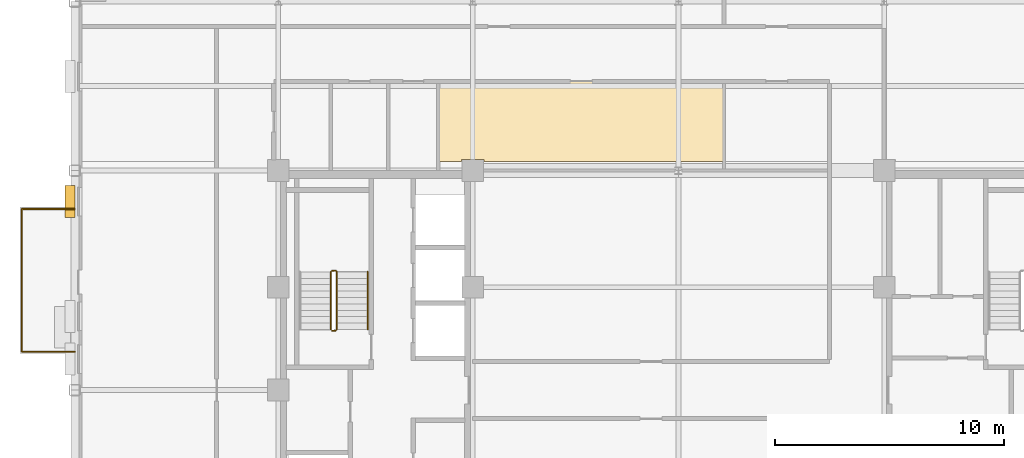
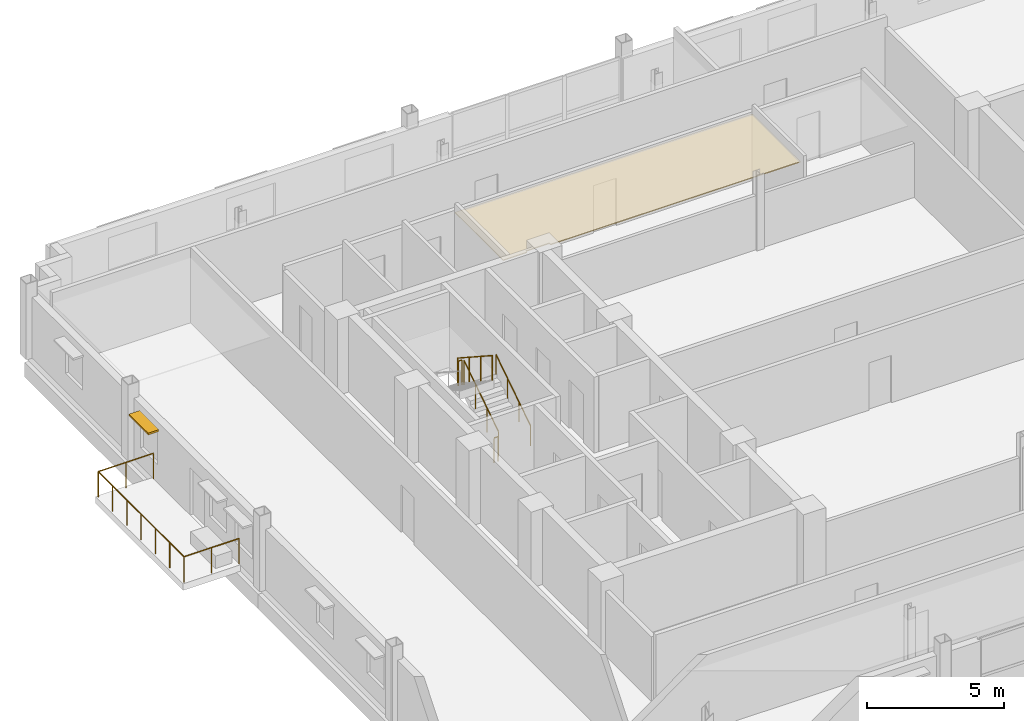
# One storey, part 13 of 15: 6 railings, 1 covering, 1 shading device.
"""IFC4 building model written with IfcOpenShell, lengths in metres."""

import ifcopenshell
import ifcopenshell.guid

model = None  # the IFC model being written
_history = None  # IfcOwnerHistory: only IFC2X3 demands one
_inside = {}  # id of a spatial element -> (the spatial element, [elements in it])
_under = {}  # id of a project, library or spatial element -> (it, [spatial elements below it])
_declared = {}  # id of a project -> (the project, [libraries it declares])
_typed = {}  # id of a type object -> (the type object, [elements of that type])
_made_of = {}  # id of a material, layer set ... -> (it, [elements and type objects made of it])


def new_model(schema):
    """Start an empty IFC model of exactly this schema.

    Asked for "IFC4X3", IfcOpenShell would pick the latest addendum, in which some entities
    have other attributes; the version numbers below select the first issue.
    IFC2X3 requires an IfcOwnerHistory on every rooted entity: one is made here for all.
    """
    global model, _history
    if schema == "IFC4X3":
        model = ifcopenshell.file(schema_version=(4, 3, 0, 0))
    else:
        model = ifcopenshell.file(schema=schema)
    _inside.clear()
    _under.clear()
    _declared.clear()
    _typed.clear()
    _made_of.clear()
    _history = None
    if model.schema == "IFC2X3":
        org = make("IfcOrganization", Name="unknown")
        user = make(
            "IfcPersonAndOrganization",
            ThePerson=make("IfcPerson", FamilyName="unknown"),
            TheOrganization=org,
        )
        app = make(
            "IfcApplication",
            ApplicationDeveloper=org,
            Version="unknown",
            ApplicationFullName="unknown",
            ApplicationIdentifier="unknown",
        )
        _history = make(
            "IfcOwnerHistory",
            OwningUser=user,
            OwningApplication=app,
            ChangeAction="ADDED",
            CreationDate=0,
        )
    return model


def make(cls, **values):
    """One entity of the class cls with the attributes given. An attribute that is None is left unset."""
    return model.create_entity(
        cls, **{name: value for name, value in values.items() if value is not None}
    )


def rooted(cls, **values):
    """An entity with a GlobalId (a new one), such as an element, a storey or a relation."""
    return make(cls, GlobalId=ifcopenshell.guid.new(), OwnerHistory=_history, **values)


def si_unit(unit_type, name, prefix=None):
    """IfcSIUnit, for example si_unit("LENGTHUNIT", "METRE", prefix="MILLI")."""
    return make("IfcSIUnit", UnitType=unit_type, Prefix=prefix, Name=name)


def assignment(units):
    """IfcUnitAssignment: the units of a project."""
    return None if units is None else make("IfcUnitAssignment", Units=units)


def point(xyz):
    """IfcCartesianPoint."""
    return None if xyz is None else make("IfcCartesianPoint", Coordinates=xyz)


def direction(xyz):
    """IfcDirection."""
    return None if xyz is None else make("IfcDirection", DirectionRatios=xyz)


def frame(location, z_axis=None, x_axis=None):
    """IfcAxis2Placement3D, a coordinate frame: its origin and axes. An axis left out is left unset."""
    return make(
        "IfcAxis2Placement3D",
        Location=point(location),
        Axis=direction(z_axis),
        RefDirection=direction(x_axis),
    )


def frame_2d(location, x_axis=None):
    """IfcAxis2Placement2D, a coordinate frame in the plane: its origin and x axis."""
    return make(
        "IfcAxis2Placement2D", Location=point(location), RefDirection=direction(x_axis)
    )


def origin():
    """The frame at (0, 0, 0) with its axes left unset."""
    return frame((0.0, 0.0, 0.0))


def origin_2d():
    """The frame at (0, 0) in the plane with its x axis left unset."""
    return frame_2d((0.0, 0.0))


def place(relative_to, where):
    """IfcLocalPlacement: puts the frame where relative to a parent placement (None: the world)."""
    return make(
        "IfcLocalPlacement", PlacementRelTo=relative_to, RelativePlacement=where
    )


def context(
    kind, dimensions, precision=None, world=None, true_north=None, identifier=None
):
    """IfcGeometricRepresentationContext, for example the 3D "Model" context."""
    return make(
        "IfcGeometricRepresentationContext",
        ContextIdentifier=identifier,
        ContextType=kind,
        CoordinateSpaceDimension=dimensions,
        Precision=precision,
        WorldCoordinateSystem=world,
        TrueNorth=true_north,
    )


def subcontext(parent, identifier, kind, view, scale=None):
    """IfcGeometricRepresentationSubContext, for example "Body" below "Model"."""
    return make(
        "IfcGeometricRepresentationSubContext",
        ContextIdentifier=identifier,
        ContextType=kind,
        ParentContext=parent,
        TargetScale=scale,
        TargetView=view,
    )


def project(units=None, contexts=None):
    """IfcProject with its units and contexts."""
    return rooted(
        "IfcProject",
        Name="project",
        RepresentationContexts=contexts,
        UnitsInContext=assignment(units),
    )


def spatial(cls, under=None, at=None, **own):
    """A site, building, storey or space (cls), placed at a placement, below another one or the project."""
    s = rooted(cls, ObjectPlacement=at, **own)
    if under is not None:
        _under.setdefault(under.id(), (under, []))[1].append(s)
    return s


def polyline(points):
    """IfcPolyline through the points."""
    return make("IfcPolyline", Points=[point(p) for p in points])


def profile(cls, at=None, kind="AREA", **sizes):
    """A parametric profile (cls). Its sizes go by their IFC names, for example OverallWidth=200.0."""
    return make(cls, ProfileType=kind, Position=at, **sizes)


def rectangle(**sizes):
    """IfcRectangleProfileDef."""
    return profile("IfcRectangleProfileDef", **sizes)


def circle(**sizes):
    """IfcCircleProfileDef."""
    return profile("IfcCircleProfileDef", **sizes)


def outline(outer, holes=None, kind="AREA"):
    """IfcArbitraryClosedProfileDef: a profile drawn as a closed curve; with holes, ...WithVoids."""
    if holes is None:
        return make("IfcArbitraryClosedProfileDef", ProfileType=kind, OuterCurve=outer)
    return make(
        "IfcArbitraryProfileDefWithVoids",
        ProfileType=kind,
        OuterCurve=outer,
        InnerCurves=holes,
    )


def extrude(swept, where, along, depth):
    """IfcExtrudedAreaSolid: the profile swept, set in the frame where, extruded along a direction by depth."""
    return make(
        "IfcExtrudedAreaSolid",
        SweptArea=swept,
        Position=where,
        ExtrudedDirection=direction(along),
        Depth=depth,
    )


def shape(context_of_items, identifier, shape_type, items):
    """IfcShapeRepresentation: the items that make up one representation, for example the "Body"."""
    return make(
        "IfcShapeRepresentation",
        ContextOfItems=context_of_items,
        RepresentationIdentifier=identifier,
        RepresentationType=shape_type,
        Items=items,
    )


def source(mapping_origin, context_of_items, identifier, shape_type, items):
    """IfcRepresentationMap: a shape defined once, which mapped items show again and again."""
    return make(
        "IfcRepresentationMap",
        MappingOrigin=mapping_origin,
        MappedRepresentation=shape(context_of_items, identifier, shape_type, items),
    )


def transform(
    local_origin,
    x_axis=None,
    y_axis=None,
    z_axis=None,
    scale=None,
    scale2=None,
    scale3=None,
    uniform=True,
):
    """IfcCartesianTransformationOperator3D, or its non-uniform kind. x_axis, y_axis, z_axis: its Axis1, 2, 3."""
    if uniform:
        return make(
            "IfcCartesianTransformationOperator3D",
            Axis1=direction(x_axis),
            Axis2=direction(y_axis),
            LocalOrigin=point(local_origin),
            Scale=scale,
            Axis3=direction(z_axis),
        )
    return make(
        "IfcCartesianTransformationOperator3DnonUniform",
        Axis1=direction(x_axis),
        Axis2=direction(y_axis),
        LocalOrigin=point(local_origin),
        Scale=scale,
        Axis3=direction(z_axis),
        Scale2=scale2,
        Scale3=scale3,
    )


def mapped(mapping_source, mapping_target):
    """IfcMappedItem: shows the shape of a source again, moved by a transform."""
    return make(
        "IfcMappedItem", MappingSource=mapping_source, MappingTarget=mapping_target
    )


def material(Name=None, Category=None):
    """IfcMaterial."""
    return make("IfcMaterial", Name=Name, Category=Category)


def layer(
    of_material, thickness, ventilated=None, Name=None, Category=None, Priority=None
):
    """IfcMaterialLayer: one layer of a wall or slab, of a material (None: an air gap)."""
    return make(
        "IfcMaterialLayer",
        Material=of_material,
        LayerThickness=thickness,
        IsVentilated=ventilated,
        Name=Name,
        Category=Category,
        Priority=Priority,
    )


def layer_set(layers, Name=None):
    """IfcMaterialLayerSet."""
    return make("IfcMaterialLayerSet", MaterialLayers=layers, LayerSetName=Name)


def made_of(thing, what):
    """Note that an element or type object is made of a material, layer set ...; save() writes the relation."""
    if what is not None:
        _made_of.setdefault(what.id(), (what, []))[1].append(thing)
    return thing


def type_object(cls, material=None, **own):
    """A type object (cls), such as IfcWallType, which elements share."""
    return made_of(rooted(cls, **own), material)


def type_shapes(of_type, sources):
    """Give a type object the sources (RepresentationMaps) that its elements show as mapped items."""
    of_type.RepresentationMaps = sources


def element(
    cls,
    number,
    at=None,
    inside=None,
    cuts=None,
    type_object=None,
    material=None,
    context=None,
    identifier="Body",
    shape_type=None,
    held_by="IfcProductDefinitionShape",
    body=None,
    shapes=None,
    **own,
):
    """One element of the class cls, such as IfcWall. Its Tag is "e" and its number.

    at: its placement. inside: the storey or other place that contains it. cuts: it is an
    opening in that element (IfcRelVoidsElement). A single representation is given by context,
    identifier, shape_type and body (its items); several are given by shapes. held_by: the class
    of the entity that holds the representations. save() writes the other relations.
    """
    e = rooted(cls, Tag="e%d" % number, ObjectPlacement=at, **own)
    if body is not None:
        shapes = [shape(context, identifier, shape_type, body)]
    if shapes is not None:
        e.Representation = make(held_by, Representations=shapes)
    if inside is not None:
        _inside.setdefault(inside.id(), (inside, []))[1].append(e)
    if cuts is not None:
        rooted(
            "IfcRelVoidsElement", RelatingBuildingElement=cuts, RelatedOpeningElement=e
        )
    if type_object is not None:
        _typed.setdefault(type_object.id(), (type_object, []))[1].append(e)
    return made_of(e, material)


def aggregate(whole, parts):
    """IfcRelAggregates: a whole, such as a stair, and the parts it consists of."""
    return rooted("IfcRelAggregates", RelatingObject=whole, RelatedObjects=parts)


def save(model, path):
    """Write the relations noted so far, then the file.

    IfcRelAggregates (storeys below a building ...), IfcRelContainedInSpatialStructure (elements
    in a storey), IfcRelDefinesByType, IfcRelAssociatesMaterial and IfcRelDeclares: one each for
    every whole, place, type object, material and project.
    """
    for whole, parts in _under.values():
        aggregate(whole, parts)
    for where, things in _inside.values():
        rooted(
            "IfcRelContainedInSpatialStructure",
            RelatedElements=things,
            RelatingStructure=where,
        )
    for kind, things in _typed.values():
        rooted("IfcRelDefinesByType", RelatedObjects=things, RelatingType=kind)
    for what, things in _made_of.values():
        rooted("IfcRelAssociatesMaterial", RelatedObjects=things, RelatingMaterial=what)
    for by, libraries in _declared.values():
        rooted("IfcRelDeclares", RelatingContext=by, RelatedDefinitions=libraries)
    model.write(path)


model = new_model("IFC4")

# Units and contexts
model_context = context("Model", 3, precision=1e-05, world=origin(), true_north=direction((0.0, 1.0)))
body_context = subcontext(model_context, "Body", "Model", "MODEL_VIEW")
ifc_project = project(units=[si_unit("LENGTHUNIT", "METRE"), si_unit("AREAUNIT", "SQUARE_METRE"), si_unit("VOLUMEUNIT", "CUBIC_METRE"), si_unit("PLANEANGLEUNIT", "RADIAN"), si_unit("MASSUNIT", "GRAM", prefix="KILO")], contexts=[model_context])

# Site, building, storey
site_placement = place(None, origin())
site = spatial("IfcSite", under=ifc_project, at=site_placement, CompositionType="ELEMENT")
building_placement = place(site_placement, origin())
building = spatial("IfcBuilding", under=site, at=building_placement, Name="Nuvemarco Arch Tower", CompositionType="ELEMENT")
storey_placement = place(building_placement, frame((0.0, 0.0, 223.75)))
storey = spatial("IfcBuildingStorey", under=building, at=storey_placement, Name="L59", CompositionType="ELEMENT", Elevation=223.75)

# Covering
ifc_material_1 = material(Name="Mineral acoustic ceiling tile")
ifc_layer = layer(ifc_material_1, 0.0400390625, Name="COV-ACOUSTIC-CLG")
ifc_layer_set = layer_set([ifc_layer], Name="Mineral acoustic ceiling tile")
covering_type = type_object("IfcCoveringType", Name="COV-ACOUSTIC-CLG", PredefinedType="CEILING", material=ifc_layer_set)
covering_placement = place(storey_placement, frame((0.0, 0.0, 2.85009765625)))
element("IfcCovering", 1, at=covering_placement, inside=storey, type_object=covering_type, Name="L59 suspended acoustic ceiling 6", PredefinedType="CEILING", context=body_context, shape_type="SweptSolid", body=[
    extrude(outline(polyline([(2.0, 10.0), (-8.510009765625, 10.0), (-8.510009765625, 10.090087890625), (-9.489990234375, 10.090087890625), (-9.489990234375, 10.0), (-10.5, 10.0), (-10.5, 13.5), (2.0, 13.5), (2.0, 10.0)])), origin(), (0.0, 0.0, 1.0), 0.039794921875),
])

# Railings
ifc_material_2 = material(Name="Brushed stainless steel handrail", Category="steel")
railing_type_1 = type_object("IfcRailingType", Name="RL-HANDRAIL-900", PredefinedType="HANDRAIL", material=ifc_material_2)
railing_1_placement = place(storey_placement, frame((-13.590087890625, 2.64990234375, 0.1826171875)))
element("IfcRailing", 2, at=railing_1_placement, inside=storey, type_object=railing_type_1, Name="L59 ST-1 stair handrail 1", PredefinedType="HANDRAIL", context=body_context, shape_type="SweptSolid", body=[
    extrude(circle(Radius=0.02392578125, at=origin_2d()), frame((0.0, 0.0, 0.8759765625), z_axis=(0.0, 0.837786554691, 0.545997883492), x_axis=(-1.0, 0.0, 0.0)), (0.0, 0.0, 1.0), 3.008056640625),
    extrude(circle(Radius=0.02099609375, at=origin_2d()), origin(), (0.0, 0.0, 1.0), 0.851806640625),
    extrude(circle(Radius=0.02099609375, at=origin_2d()), frame((0.0, 0.840087890625, 0.54736328125)), (0.0, 0.0, 1.0), 0.851806640625),
    extrude(circle(Radius=0.02099609375, at=origin_2d()), frame((0.0, 1.679931640625, 1.094970703125)), (0.0, 0.0, 1.0), 0.851806640625),
    extrude(circle(Radius=0.02099609375, at=origin_2d()), frame((0.0, 2.52001953125, 1.642333984375)), (0.0, 0.0, 1.0), 0.851806640625),
])
ifc_material_3 = material(Name="Painted balustrade steel S355", Category="steel")
railing_type_2 = type_object("IfcRailingType", Name="RL-STAIR-GUARD", PredefinedType="GUARDRAIL", material=ifc_material_3)
railing_2_placement = place(storey_placement, frame((-14.93994140625, 2.64990234375, 0.1826171875)))
element("IfcRailing", 3, at=railing_2_placement, inside=storey, type_object=railing_type_2, Name="L59 ST-1 stair guard 1", PredefinedType="GUARDRAIL", context=body_context, shape_type="SweptSolid", body=[
    extrude(circle(Radius=0.02392578125, at=origin_2d()), frame((0.0, 0.0, 1.09619140625), z_axis=(0.0, 0.837786554691, 0.545997883492), x_axis=(-1.0, 0.0, 0.0)), (0.0, 0.0, 1.0), 3.008056640625),
    extrude(circle(Radius=0.02099609375, at=origin_2d()), origin(), (0.0, 0.0, 1.0), 1.072021484375),
    extrude(circle(Radius=0.02099609375, at=origin_2d()), frame((0.0, 0.840087890625, 0.54736328125)), (0.0, 0.0, 1.0), 1.072021484375),
    extrude(circle(Radius=0.02099609375, at=origin_2d()), frame((0.0, 1.679931640625, 1.094970703125)), (0.0, 0.0, 1.0), 1.072021484375),
    extrude(circle(Radius=0.02099609375, at=origin_2d()), frame((0.0, 2.52001953125, 1.642333984375)), (0.0, 0.0, 1.0), 1.072021484375),
])
railing_3_placement = place(storey_placement, frame((-14.989990234375, 5.219970703125, 1.824951171875)))
element("IfcRailing", 4, at=railing_3_placement, inside=storey, type_object=railing_type_2, Name="L59 ST-1 stair guard 2", PredefinedType="GUARDRAIL", context=body_context, shape_type="SweptSolid", body=[
    extrude(circle(Radius=0.02392578125, at=origin_2d()), frame((0.0, 0.0, 1.09619140625), z_axis=(-1.0, 0.0, 0.0), x_axis=(0.0, -1.0, 0.0)), (0.0, 0.0, 1.0), 0.159912109375),
    extrude(circle(Radius=0.02099609375, at=origin_2d()), origin(), (0.0, 0.0, 1.0), 1.072021484375),
    extrude(circle(Radius=0.02099609375, at=origin_2d()), frame((-0.159912109375, 0.0, 0.0)), (0.0, 0.0, 1.0), 1.072021484375),
])
railing_4_placement = place(storey_placement, frame((-15.199951171875, 5.169921875, 2.007568359375)))
element("IfcRailing", 5, at=railing_4_placement, inside=storey, type_object=railing_type_2, Name="L59 ST-1 stair guard 3", PredefinedType="GUARDRAIL", context=body_context, shape_type="SweptSolid", body=[
    extrude(circle(Radius=0.02392578125, at=origin_2d()), frame((0.0, 0.0, 1.09619140625), z_axis=(0.0, -0.837786554691, 0.545997883492), x_axis=(1.0, 0.0, 0.0)), (0.0, 0.0, 1.0), 3.008056640625),
    extrude(circle(Radius=0.02099609375, at=origin_2d()), origin(), (0.0, 0.0, 1.0), 1.072021484375),
    extrude(circle(Radius=0.02099609375, at=origin_2d()), frame((0.0, -0.840087890625, 0.54736328125)), (0.0, 0.0, 1.0), 1.072021484375),
    extrude(circle(Radius=0.02099609375, at=origin_2d()), frame((0.0, -1.679931640625, 1.094970703125)), (0.0, 0.0, 1.0), 1.072021484375),
    extrude(circle(Radius=0.02099609375, at=origin_2d()), frame((0.0, -2.52001953125, 1.642333984375)), (0.0, 0.0, 1.0), 1.072021484375),
])
railing_5_placement = place(storey_placement, frame((-14.989990234375, 2.60009765625, 0.0)))
element("IfcRailing", 6, at=railing_5_placement, inside=storey, type_object=railing_type_2, Name="L59 ST-1 stair guard 4", PredefinedType="GUARDRAIL", context=body_context, shape_type="SweptSolid", body=[
    extrude(circle(Radius=0.02392578125, at=origin_2d()), frame((0.0, 0.0, 1.09619140625), z_axis=(-1.0, 0.0, 0.0), x_axis=(0.0, -1.0, 0.0)), (0.0, 0.0, 1.0), 0.159912109375),
    extrude(circle(Radius=0.02099609375, at=origin_2d()), origin(), (0.0, 0.0, 1.0), 1.072021484375),
    extrude(circle(Radius=0.02099609375, at=origin_2d()), frame((-0.159912109375, 0.0, 0.0)), (0.0, 0.0, 1.0), 1.072021484375),
])
ifc_material_4 = material(Name="Dark anodised balustrade steel S355", Category="steel")
railing_type_3 = type_object("IfcRailingType", Name="RL-TERR-GUARD", PredefinedType="BALUSTRADE", material=ifc_material_4)
railing_6_placement = place(storey_placement, frame((-26.39990234375, 1.679931640625, 0.0)))
element("IfcRailing", 7, at=railing_6_placement, inside=storey, type_object=railing_type_3, Name="L59 spiral terrace perimeter balustrade guard", PredefinedType="BALUSTRADE", context=body_context, shape_type="SweptSolid", body=[
    extrude(circle(Radius=0.02392578125, at=origin_2d()), frame((0.0, 0.0, 1.1259765625), z_axis=(-1.0, 0.0, 0.0), x_axis=(0.0, -1.0, 0.0)), (0.0, 0.0, 1.0), 2.320068359375),
    extrude(circle(Radius=0.02392578125, at=origin_2d()), frame((-2.320068359375, 0.0, 1.1259765625), z_axis=(0.0, 1.0, 0.0), x_axis=(-1.0, 0.0, 0.0)), (0.0, 0.0, 1.0), 6.239990234375),
    extrude(circle(Radius=0.02392578125, at=origin_2d()), frame((-2.320068359375, 6.239990234375, 1.1259765625), z_axis=(1.0, 0.0, 0.0), x_axis=(0.0, 1.0, 0.0)), (0.0, 0.0, 1.0), 2.320068359375),
    extrude(circle(Radius=0.02099609375, at=origin_2d()), origin(), (0.0, 0.0, 1.0), 1.101806640625),
    extrude(circle(Radius=0.02099609375, at=origin_2d()), frame((-1.16015625, 0.0, 0.0)), (0.0, 0.0, 1.0), 1.101806640625),
    extrude(circle(Radius=0.02099609375, at=origin_2d()), frame((-2.320068359375, 0.0, 0.0)), (0.0, 0.0, 1.0), 1.101806640625),
    extrude(circle(Radius=0.02099609375, at=origin_2d()), frame((-2.320068359375, 1.0400390625, 0.0)), (0.0, 0.0, 1.0), 1.101806640625),
    extrude(circle(Radius=0.02099609375, at=origin_2d()), frame((-2.320068359375, 2.080078125, 0.0)), (0.0, 0.0, 1.0), 1.101806640625),
    extrude(circle(Radius=0.02099609375, at=origin_2d()), frame((-2.320068359375, 3.1201171875, 0.0)), (0.0, 0.0, 1.0), 1.101806640625),
    extrude(circle(Radius=0.02099609375, at=origin_2d()), frame((-2.320068359375, 4.159912109375, 0.0)), (0.0, 0.0, 1.0), 1.101806640625),
    extrude(circle(Radius=0.02099609375, at=origin_2d()), frame((-2.320068359375, 5.199951171875, 0.0)), (0.0, 0.0, 1.0), 1.101806640625),
    extrude(circle(Radius=0.02099609375, at=origin_2d()), frame((-2.320068359375, 6.239990234375, 0.0)), (0.0, 0.0, 1.0), 1.101806640625),
    extrude(circle(Radius=0.02099609375, at=origin_2d()), frame((-1.16015625, 6.239990234375, 0.0)), (0.0, 0.0, 1.0), 1.101806640625),
    extrude(circle(Radius=0.02099609375, at=origin_2d()), frame((0.0, 6.239990234375, 0.0)), (0.0, 0.0, 1.0), 1.101806640625),
])

# Shading device
ifc_material_5 = material(Name="Anodised aluminium 6063-T6", Category="aluminium")
shading_device_type = type_object("IfcShadingDeviceType", Name="SHD-BRISE-NARROW", PredefinedType="USERDEFINED", material=ifc_material_5)
shared_shape = source(origin(), body_context, "Body", "SweptSolid", [
    extrude(rectangle(XDim=1.39990234375, YDim=0.449951171875, at=origin_2d()), origin(), (0.0, 0.0, 1.0), 0.080078125),
])
type_shapes(shading_device_type, [shared_shape])
shading_device_placement = place(storey_placement, frame((-26.614990234375, 8.239501953125, 2.324951171875), z_axis=(0.0, 0.0, 1.0), x_axis=(0.0, 1.0, 0.0)))
element("IfcShadingDevice", 8, at=shading_device_placement, inside=storey, type_object=shading_device_type, Name="L59 horizontal brise-soleil sunshade", ObjectType="SUNSHADE", PredefinedType="USERDEFINED", context=body_context, shape_type="MappedRepresentation", body=[
    mapped(shared_shape, transform((0.0, 0.0, 0.0), scale=1.0)),
])

save(model, "model.ifc")
